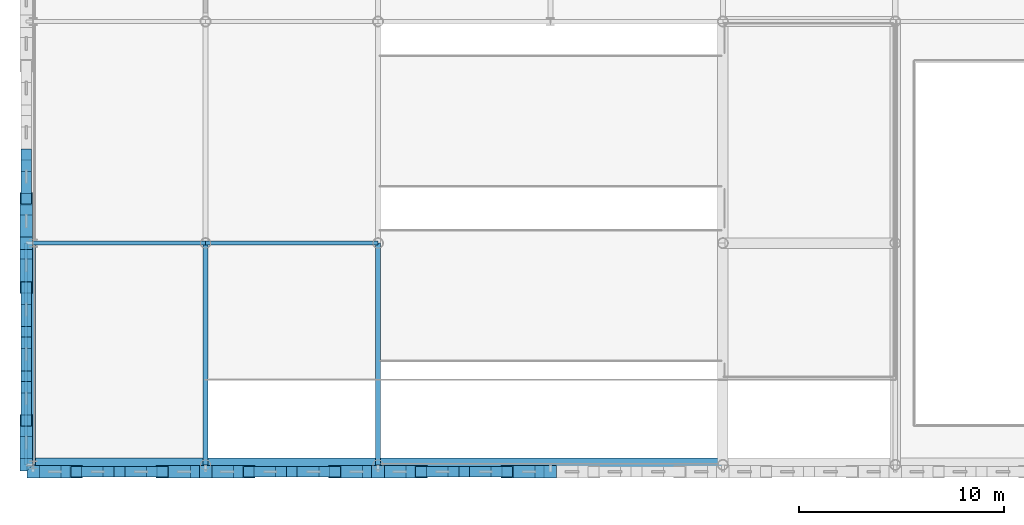
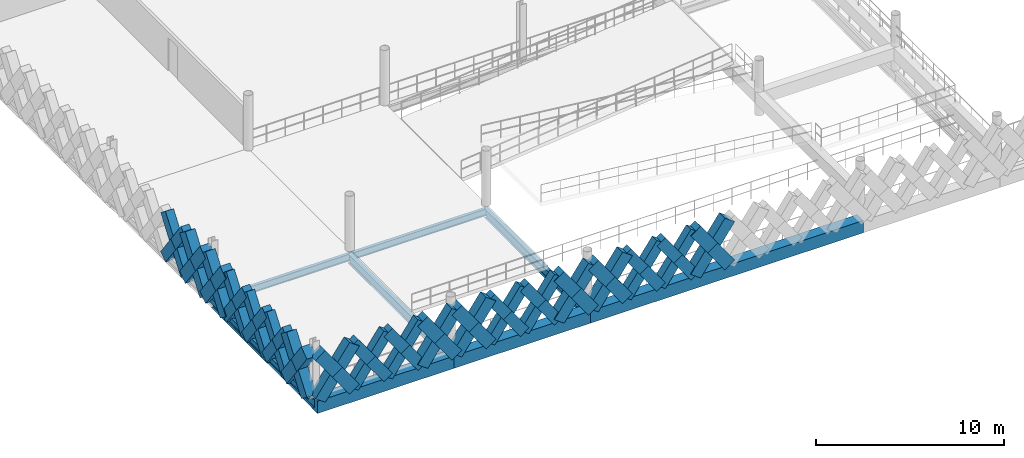
# One storey, part 18 of 79: 58 members, 8 beams.
"""IFC4 building model written with IfcOpenShell, lengths in metres."""

from ifc_helpers import new_model, si_unit, direction, frame, origin, origin_2d, place, context, subcontext, project, spatial, rectangle, hollow_rectangle, i_section, extrude, material, material_profile, profile_set, type_object, element, save


model = new_model("IFC4")

# Units and contexts
model_context = context("Model", 3, precision=1e-05, world=origin(), true_north=direction((0.0, 1.0)))
body_context = subcontext(model_context, "Body", "Model", "MODEL_VIEW")
ifc_project = project(units=[si_unit("LENGTHUNIT", "METRE"), si_unit("AREAUNIT", "SQUARE_METRE"), si_unit("VOLUMEUNIT", "CUBIC_METRE"), si_unit("PLANEANGLEUNIT", "RADIAN"), si_unit("MASSUNIT", "GRAM", prefix="KILO"), si_unit("THERMODYNAMICTEMPERATUREUNIT", "KELVIN"), si_unit("POWERUNIT", "WATT")], contexts=[model_context])

# Site, building, storey
site_placement = place(None, origin())
site = spatial("IfcSite", under=ifc_project, at=site_placement, CompositionType="ELEMENT")
building_placement = place(site_placement, origin())
building = spatial("IfcBuilding", under=site, at=building_placement, Name="Tembeka Court Mobility Hub", CompositionType="ELEMENT")
storey_placement = place(building_placement, frame((0.0, 0.0, 9.0)))
storey = spatial("IfcBuildingStorey", under=building, at=storey_placement, Name="L02", CompositionType="ELEMENT", Elevation=9.0)

# Beams
ifc_material_1 = material(Name="Steel S355", Category="steel")
ifc_material_profile_1 = material_profile(ifc_material_1, i_section(OverallWidth=0.18994140625, OverallDepth=0.45703125, WebThickness=0.009033203125, FlangeThickness=0.014404296875, FilletRadius=0.01025390625, at=origin_2d()), Name="UKB 457x191x74")
ifc_profile_set_1 = profile_set([ifc_material_profile_1], Name="Steel S355")
beam_type_1 = type_object("IfcBeamType", Name="BM-B01", PredefinedType="BEAM", material=ifc_profile_set_1)
beam_1_placement = place(storey_placement, frame((0.0, 10.800048828125, -0.478515625), z_axis=(1.0, 0.0, 0.0), x_axis=(0.0, 1.0, 0.0)))
element("IfcBeam", 1, at=beam_1_placement, inside=storey, type_object=beam_type_1, Name="Beam B01 (BM-L02-X1185)", PredefinedType="BEAM", context=body_context, shape_type="SweptSolid", body=[
    extrude(i_section(OverallWidth=0.18994140625, OverallDepth=0.45703125, WebThickness=0.009033203125, FlangeThickness=0.014404296875, FilletRadius=0.01025390625, at=origin_2d()), origin(), (0.0, 0.0, 1.0), 8.39990234375),
])
beam_2_placement = place(storey_placement, frame((8.39990234375, 10.800048828125, -0.478515625), z_axis=(1.0, 0.0, 0.0), x_axis=(0.0, 1.0, 0.0)))
element("IfcBeam", 2, at=beam_2_placement, inside=storey, type_object=beam_type_1, Name="Beam B01 (BM-L02-X1186)", PredefinedType="BEAM", context=body_context, shape_type="SweptSolid", body=[
    extrude(i_section(OverallWidth=0.18994140625, OverallDepth=0.45703125, WebThickness=0.009033203125, FlangeThickness=0.014404296875, FilletRadius=0.01025390625, at=origin_2d()), origin(), (0.0, 0.0, 1.0), 8.400146484375),
])
ifc_material_profile_2 = material_profile(ifc_material_1, i_section(OverallWidth=0.22900390625, OverallDepth=0.612060546875, WebThickness=0.011962890625, FlangeThickness=0.01953125, FilletRadius=0.0126953125, at=origin_2d()), Name="UKB 610x229x125")
ifc_profile_set_2 = profile_set([ifc_material_profile_2], Name="Steel S355")
beam_type_2 = type_object("IfcBeamType", Name="BM-G02", PredefinedType="USERDEFINED", material=ifc_profile_set_2)
for number, where, z_axis, x_axis, name in (
    (3, (0.0, 0.0, -0.52587890625), (0.0, 1.0, 0.0), (-1.0, 0.0, 0.0), "Beam G02 (BM-L02-Y1307)"),
    (4, (8.39990234375, 0.0, -0.555908203125), (0.0, 1.0, 0.0), (-1.0, 0.0, 0.0), "Beam G02 (BM-L02-Y1318)"),
    (5, (16.800048828125, 0.0, -0.555908203125), (0.0, 1.0, 0.0), (-1.0, 0.0, 0.0), "Beam G02 (BM-L02-Y1329)"),
):
    element("IfcBeam", number, at=place(storey_placement, frame(where, z_axis=z_axis, x_axis=x_axis)), inside=storey, type_object=beam_type_2, Name=name, ObjectType="GIRDER", PredefinedType="USERDEFINED", context=body_context, shape_type="SweptSolid", body=[
        extrude(i_section(OverallWidth=0.22900390625, OverallDepth=0.612060546875, WebThickness=0.011962890625, FlangeThickness=0.01953125, FilletRadius=0.0126953125, at=origin_2d()), origin(), (0.0, 0.0, 1.0), 10.800048828125),
    ])
ifc_material_2 = material(Name="Precast concrete C45/55", Category="concrete")
ifc_material_profile_3 = material_profile(ifc_material_2, rectangle(XDim=0.64990234375, YDim=0.800048828125, at=origin_2d()), Name="PC-SP 650x800")
ifc_profile_set_3 = profile_set([ifc_material_profile_3], Name="Precast concrete C45/55")
beam_type_3 = type_object("IfcBeamType", Name="BM-SP01", PredefinedType="SPANDREL", material=ifc_profile_set_3)
beam_3_placement = place(storey_placement, frame((0.0, 0.0, -0.6201171875), z_axis=(1.0, 0.0, 0.0), x_axis=(0.0, 1.0, 0.0)))
element("IfcBeam", 6, at=beam_3_placement, inside=storey, type_object=beam_type_3, Name="Beam SP01 (BM-L02-X1170)", PredefinedType="SPANDREL", context=body_context, shape_type="SweptSolid", body=[
    extrude(rectangle(XDim=0.64990234375, YDim=0.800048828125, at=origin_2d()), origin(), (0.0, 0.0, 1.0), 8.39990234375),
])
beam_4_placement = place(storey_placement, frame((8.39990234375, 0.0, -0.6201171875), z_axis=(1.0, 0.0, 0.0), x_axis=(0.0, 1.0, 0.0)))
element("IfcBeam", 7, at=beam_4_placement, inside=storey, type_object=beam_type_3, Name="Beam SP01 (BM-L02-X1171)", PredefinedType="SPANDREL", context=body_context, shape_type="SweptSolid", body=[
    extrude(rectangle(XDim=0.64990234375, YDim=0.800048828125, at=origin_2d()), origin(), (0.0, 0.0, 1.0), 8.400146484375),
])
beam_5_placement = place(storey_placement, frame((16.800048828125, 0.0, -0.6201171875), z_axis=(1.0, 0.0, 0.0), x_axis=(0.0, 1.0, 0.0)))
element("IfcBeam", 8, at=beam_5_placement, inside=storey, type_object=beam_type_3, Name="Beam SP01 (BM-L02-X1172)", PredefinedType="SPANDREL", context=body_context, shape_type="SweptSolid", body=[
    extrude(rectangle(XDim=0.64990234375, YDim=0.800048828125, at=origin_2d()), origin(), (0.0, 0.0, 1.0), 16.800048828125),
])

# Members
ifc_material_profile_4 = material_profile(ifc_material_2, rectangle(XDim=0.5, YDim=0.64990234375, at=origin_2d()), Name="PC-DIAG 500x650")
ifc_profile_set_4 = profile_set([ifc_material_profile_4], Name="Precast concrete C45/55")
member_type_1 = type_object("IfcMemberType", Name="MEM-DL01", PredefinedType="BRACE", material=ifc_profile_set_4)
member_1_placement = place(storey_placement, frame((2.10009765625, -0.340087890625, 0.02001953125), z_axis=(0.58253161945, 0.0, 0.812808041509), x_axis=(0.0, 1.0, 0.0)))
element("IfcMember", 9, at=member_1_placement, inside=storey, type_object=member_type_1, Name="Precast diamond lattice continuous strand DL01 (L02-190A)", PredefinedType="BRACE", context=body_context, shape_type="SweptSolid", body=[
    extrude(rectangle(XDim=0.5, YDim=0.64990234375, at=origin_2d()), origin(), (0.0, 0.0, 1.0), 3.604736328125),
])
member_2_placement = place(storey_placement, frame((4.199951171875, -0.340087890625, 0.02001953125), z_axis=(-0.582544294934, 0.0, 0.812798956963), x_axis=(0.0, -1.0, 0.0)))
element("IfcMember", 10, at=member_2_placement, inside=storey, type_object=member_type_1, Name="Precast diamond lattice split lower strand DL01 (L02-190B1)", PredefinedType="BRACE", context=body_context, shape_type="SweptSolid", body=[
    extrude(rectangle(XDim=0.5, YDim=0.64990234375, at=origin_2d()), origin(), (0.0, 0.0, 1.0), 1.802490234375),
])
member_3_placement = place(storey_placement, frame((3.14990234375, -0.340087890625, 1.485107421875), z_axis=(-0.582518941428, 0.0, 0.812817127574), x_axis=(0.0, -1.0, 0.0)))
element("IfcMember", 11, at=member_3_placement, inside=storey, type_object=member_type_1, Name="Precast diamond lattice split upper strand DL01 (L02-190B2)", PredefinedType="BRACE", context=body_context, shape_type="SweptSolid", body=[
    extrude(rectangle(XDim=0.5, YDim=0.64990234375, at=origin_2d()), origin(), (0.0, 0.0, 1.0), 1.80224609375),
])
member_4_placement = place(storey_placement, frame((4.199951171875, -0.340087890625, 0.02001953125), z_axis=(0.582576362011, 0.0, 0.812775973086), x_axis=(0.0, 1.0, 0.0)))
element("IfcMember", 12, at=member_4_placement, inside=storey, type_object=member_type_1, Name="Precast diamond lattice continuous strand DL01 (L02-191A)", PredefinedType="BRACE", context=body_context, shape_type="SweptSolid", body=[
    extrude(rectangle(XDim=0.5, YDim=0.64990234375, at=origin_2d()), origin(), (0.0, 0.0, 1.0), 3.604736328125),
])
member_5_placement = place(storey_placement, frame((6.300048828125, -0.340087890625, 0.02001953125), z_axis=(-0.582544294934, 0.0, 0.812798956963), x_axis=(0.0, -1.0, 0.0)))
element("IfcMember", 13, at=member_5_placement, inside=storey, type_object=member_type_1, Name="Precast diamond lattice split lower strand DL01 (L02-191B1)", PredefinedType="BRACE", context=body_context, shape_type="SweptSolid", body=[
    extrude(rectangle(XDim=0.5, YDim=0.64990234375, at=origin_2d()), origin(), (0.0, 0.0, 1.0), 1.802490234375),
])
member_6_placement = place(storey_placement, frame((5.25, -0.340087890625, 1.485107421875), z_axis=(-0.582608431711, 0.0, 0.812752985414), x_axis=(0.0, -1.0, 0.0)))
element("IfcMember", 14, at=member_6_placement, inside=storey, type_object=member_type_1, Name="Precast diamond lattice split upper strand DL01 (L02-191B2)", PredefinedType="BRACE", context=body_context, shape_type="SweptSolid", body=[
    extrude(rectangle(XDim=0.5, YDim=0.64990234375, at=origin_2d()), origin(), (0.0, 0.0, 1.0), 1.80224609375),
])
member_7_placement = place(storey_placement, frame((10.5, -0.340087890625, 0.02001953125), z_axis=(0.582576362011, 0.0, 0.812775973086), x_axis=(0.0, 1.0, 0.0)))
element("IfcMember", 15, at=member_7_placement, inside=storey, type_object=member_type_1, Name="Precast diamond lattice continuous strand DL01 (L02-194A)", PredefinedType="BRACE", context=body_context, shape_type="SweptSolid", body=[
    extrude(rectangle(XDim=0.5, YDim=0.64990234375, at=origin_2d()), origin(), (0.0, 0.0, 1.0), 3.604736328125),
])
member_8_placement = place(storey_placement, frame((12.60009765625, -0.340087890625, 0.02001953125), z_axis=(-0.582544294934, 0.0, 0.812798956963), x_axis=(0.0, -1.0, 0.0)))
element("IfcMember", 16, at=member_8_placement, inside=storey, type_object=member_type_1, Name="Precast diamond lattice split lower strand DL01 (L02-194B1)", PredefinedType="BRACE", context=body_context, shape_type="SweptSolid", body=[
    extrude(rectangle(XDim=0.5, YDim=0.64990234375, at=origin_2d()), origin(), (0.0, 0.0, 1.0), 1.802490234375),
])
member_9_placement = place(storey_placement, frame((11.550048828125, -0.340087890625, 1.485107421875), z_axis=(-0.582608431711, 0.0, 0.812752985414), x_axis=(0.0, -1.0, 0.0)))
element("IfcMember", 17, at=member_9_placement, inside=storey, type_object=member_type_1, Name="Precast diamond lattice split upper strand DL01 (L02-194B2)", PredefinedType="BRACE", context=body_context, shape_type="SweptSolid", body=[
    extrude(rectangle(XDim=0.5, YDim=0.64990234375, at=origin_2d()), origin(), (0.0, 0.0, 1.0), 1.80224609375),
])
member_10_placement = place(storey_placement, frame((12.60009765625, -0.340087890625, 0.02001953125), z_axis=(0.58253161945, 0.0, 0.812808041509), x_axis=(0.0, 1.0, 0.0)))
element("IfcMember", 18, at=member_10_placement, inside=storey, type_object=member_type_1, Name="Precast diamond lattice continuous strand DL01 (L02-195A)", PredefinedType="BRACE", context=body_context, shape_type="SweptSolid", body=[
    extrude(rectangle(XDim=0.5, YDim=0.64990234375, at=origin_2d()), origin(), (0.0, 0.0, 1.0), 3.604736328125),
])
member_11_placement = place(storey_placement, frame((14.699951171875, -0.340087890625, 0.02001953125), z_axis=(-0.582544294934, 0.0, 0.812798956963), x_axis=(0.0, -1.0, 0.0)))
element("IfcMember", 19, at=member_11_placement, inside=storey, type_object=member_type_1, Name="Precast diamond lattice split lower strand DL01 (L02-195B1)", PredefinedType="BRACE", context=body_context, shape_type="SweptSolid", body=[
    extrude(rectangle(XDim=0.5, YDim=0.64990234375, at=origin_2d()), origin(), (0.0, 0.0, 1.0), 1.802490234375),
])
member_12_placement = place(storey_placement, frame((13.64990234375, -0.340087890625, 1.485107421875), z_axis=(-0.582518941428, 0.0, 0.812817127574), x_axis=(0.0, -1.0, 0.0)))
element("IfcMember", 20, at=member_12_placement, inside=storey, type_object=member_type_1, Name="Precast diamond lattice split upper strand DL01 (L02-195B2)", PredefinedType="BRACE", context=body_context, shape_type="SweptSolid", body=[
    extrude(rectangle(XDim=0.5, YDim=0.64990234375, at=origin_2d()), origin(), (0.0, 0.0, 1.0), 1.80224609375),
])
member_13_placement = place(storey_placement, frame((18.89990234375, -0.340087890625, 0.02001953125), z_axis=(0.582576362011, 0.0, 0.812775973086), x_axis=(0.0, 1.0, 0.0)))
element("IfcMember", 21, at=member_13_placement, inside=storey, type_object=member_type_1, Name="Precast diamond lattice continuous strand DL01 (L02-198A)", PredefinedType="BRACE", context=body_context, shape_type="SweptSolid", body=[
    extrude(rectangle(XDim=0.5, YDim=0.64990234375, at=origin_2d()), origin(), (0.0, 0.0, 1.0), 3.604736328125),
])
member_14_placement = place(storey_placement, frame((21.0, -0.340087890625, 0.02001953125), z_axis=(-0.582544294934, 0.0, 0.812798956963), x_axis=(0.0, -1.0, 0.0)))
element("IfcMember", 22, at=member_14_placement, inside=storey, type_object=member_type_1, Name="Precast diamond lattice split lower strand DL01 (L02-198B1)", PredefinedType="BRACE", context=body_context, shape_type="SweptSolid", body=[
    extrude(rectangle(XDim=0.5, YDim=0.64990234375, at=origin_2d()), origin(), (0.0, 0.0, 1.0), 1.802490234375),
])
member_15_placement = place(storey_placement, frame((19.949951171875, -0.340087890625, 1.485107421875), z_axis=(-0.582608431711, 0.0, 0.812752985414), x_axis=(0.0, -1.0, 0.0)))
element("IfcMember", 23, at=member_15_placement, inside=storey, type_object=member_type_1, Name="Precast diamond lattice split upper strand DL01 (L02-198B2)", PredefinedType="BRACE", context=body_context, shape_type="SweptSolid", body=[
    extrude(rectangle(XDim=0.5, YDim=0.64990234375, at=origin_2d()), origin(), (0.0, 0.0, 1.0), 1.80224609375),
])
member_16_placement = place(storey_placement, frame((21.0, -0.340087890625, 0.02001953125), z_axis=(0.582576362011, 0.0, 0.812775973086), x_axis=(0.0, 1.0, 0.0)))
element("IfcMember", 24, at=member_16_placement, inside=storey, type_object=member_type_1, Name="Precast diamond lattice continuous strand DL01 (L02-199A)", PredefinedType="BRACE", context=body_context, shape_type="SweptSolid", body=[
    extrude(rectangle(XDim=0.5, YDim=0.64990234375, at=origin_2d()), origin(), (0.0, 0.0, 1.0), 3.604736328125),
])
member_17_placement = place(storey_placement, frame((23.10009765625, -0.340087890625, 0.02001953125), z_axis=(-0.582544294934, 0.0, 0.812798956963), x_axis=(0.0, -1.0, 0.0)))
element("IfcMember", 25, at=member_17_placement, inside=storey, type_object=member_type_1, Name="Precast diamond lattice split lower strand DL01 (L02-199B1)", PredefinedType="BRACE", context=body_context, shape_type="SweptSolid", body=[
    extrude(rectangle(XDim=0.5, YDim=0.64990234375, at=origin_2d()), origin(), (0.0, 0.0, 1.0), 1.802490234375),
])
member_18_placement = place(storey_placement, frame((22.050048828125, -0.340087890625, 1.485107421875), z_axis=(-0.582608431711, 0.0, 0.812752985414), x_axis=(0.0, -1.0, 0.0)))
element("IfcMember", 26, at=member_18_placement, inside=storey, type_object=member_type_1, Name="Precast diamond lattice split upper strand DL01 (L02-199B2)", PredefinedType="BRACE", context=body_context, shape_type="SweptSolid", body=[
    extrude(rectangle(XDim=0.5, YDim=0.64990234375, at=origin_2d()), origin(), (0.0, 0.0, 1.0), 1.80224609375),
])
member_19_placement = place(storey_placement, frame((-0.340087890625, 2.159912109375, 0.02001953125), z_axis=(0.0, 0.593423219328, 0.804890602978), x_axis=(-1.0, 0.0, 0.0)))
element("IfcMember", 27, at=member_19_placement, inside=storey, type_object=member_type_1, Name="Precast diamond lattice continuous strand DL01 (L02-278C)", PredefinedType="BRACE", context=body_context, shape_type="SweptSolid", body=[
    extrude(rectangle(XDim=0.5, YDim=0.64990234375, at=origin_2d()), origin(), (0.0, 0.0, 1.0), 3.64013671875),
])
for number, where, z_axis, x_axis, name in (
    (28, (-0.340087890625, 4.320068359375, 0.02001953125), (0.0, -0.593391185876, 0.804914219358), (1.0, 0.0, 0.0), "Precast diamond lattice split lower strand DL01 (L02-278D1)"),
    (29, (-0.340087890625, 3.239990234375, 1.485107421875), (0.0, -0.593455255298, 0.804866982773), (1.0, 0.0, 0.0), "Precast diamond lattice split upper strand DL01 (L02-278D2)"),
):
    element("IfcMember", number, at=place(storey_placement, frame(where, z_axis=z_axis, x_axis=x_axis)), inside=storey, type_object=member_type_1, Name=name, PredefinedType="BRACE", context=body_context, shape_type="SweptSolid", body=[
        extrude(rectangle(XDim=0.5, YDim=0.64990234375, at=origin_2d()), origin(), (0.0, 0.0, 1.0), 1.820068359375),
    ])
member_20_placement = place(storey_placement, frame((-0.340087890625, 4.320068359375, 0.02001953125), z_axis=(0.0, 0.593379766398, 0.804922637792), x_axis=(-1.0, 0.0, 0.0)))
element("IfcMember", 30, at=member_20_placement, inside=storey, type_object=member_type_1, Name="Precast diamond lattice continuous strand DL01 (L02-279C)", PredefinedType="BRACE", context=body_context, shape_type="SweptSolid", body=[
    extrude(rectangle(XDim=0.5, YDim=0.64990234375, at=origin_2d()), origin(), (0.0, 0.0, 1.0), 3.64013671875),
])
member_21_placement = place(storey_placement, frame((-0.340087890625, 6.47998046875, 0.02001953125), z_axis=(0.0, -0.593391185876, 0.804914219358), x_axis=(1.0, 0.0, 0.0)))
element("IfcMember", 31, at=member_21_placement, inside=storey, type_object=member_type_1, Name="Precast diamond lattice split lower strand DL01 (L02-279D1)", PredefinedType="BRACE", context=body_context, shape_type="SweptSolid", body=[
    extrude(rectangle(XDim=0.5, YDim=0.64990234375, at=origin_2d()), origin(), (0.0, 0.0, 1.0), 1.820068359375),
])
member_22_placement = place(storey_placement, frame((-0.340087890625, 5.39990234375, 1.485107421875), z_axis=(0.0, -0.593368344659, 0.804931057642), x_axis=(1.0, 0.0, 0.0)))
element("IfcMember", 32, at=member_22_placement, inside=storey, type_object=member_type_1, Name="Precast diamond lattice split upper strand DL01 (L02-279D2)", PredefinedType="BRACE", context=body_context, shape_type="SweptSolid", body=[
    extrude(rectangle(XDim=0.5, YDim=0.64990234375, at=origin_2d()), origin(), (0.0, 0.0, 1.0), 1.81982421875),
])
member_23_placement = place(storey_placement, frame((-0.340087890625, 6.47998046875, 0.02001953125), z_axis=(0.0, 0.593379766398, 0.804922637792), x_axis=(-1.0, 0.0, 0.0)))
element("IfcMember", 33, at=member_23_placement, inside=storey, type_object=member_type_1, Name="Precast diamond lattice continuous strand DL01 (L02-280C)", PredefinedType="BRACE", context=body_context, shape_type="SweptSolid", body=[
    extrude(rectangle(XDim=0.5, YDim=0.64990234375, at=origin_2d()), origin(), (0.0, 0.0, 1.0), 3.64013671875),
])
for number, where, z_axis, x_axis, name in (
    (34, (-0.340087890625, 8.639892578125, 0.02001953125), (0.0, -0.593304274421, 0.804978284151), (1.0, 0.0, 0.0), "Precast diamond lattice split lower strand DL01 (L02-280D1)"),
    (35, (-0.340087890625, 7.56005859375, 1.485107421875), (0.0, -0.593455255298, 0.804866982773), (1.0, 0.0, 0.0), "Precast diamond lattice split upper strand DL01 (L02-280D2)"),
):
    element("IfcMember", number, at=place(storey_placement, frame(where, z_axis=z_axis, x_axis=x_axis)), inside=storey, type_object=member_type_1, Name=name, PredefinedType="BRACE", context=body_context, shape_type="SweptSolid", body=[
        extrude(rectangle(XDim=0.5, YDim=0.64990234375, at=origin_2d()), origin(), (0.0, 0.0, 1.0), 1.820068359375),
    ])
member_24_placement = place(storey_placement, frame((-0.340087890625, 12.9599609375, 0.02001953125), z_axis=(0.0, 0.593423219328, 0.804890602978), x_axis=(-1.0, 0.0, 0.0)))
element("IfcMember", 36, at=member_24_placement, inside=storey, type_object=member_type_1, Name="Precast diamond lattice continuous strand DL01 (L02-283C)", PredefinedType="BRACE", context=body_context, shape_type="SweptSolid", body=[
    extrude(rectangle(XDim=0.5, YDim=0.64990234375, at=origin_2d()), origin(), (0.0, 0.0, 1.0), 3.64013671875),
])
for number, where, z_axis, x_axis, name in (
    (37, (-0.340087890625, 15.1201171875, 0.02001953125), (0.0, -0.593391185876, 0.804914219358), (1.0, 0.0, 0.0), "Precast diamond lattice split lower strand DL01 (L02-283D1)"),
    (38, (-0.340087890625, 14.0400390625, 1.485107421875), (0.0, -0.593455255298, 0.804866982773), (1.0, 0.0, 0.0), "Precast diamond lattice split upper strand DL01 (L02-283D2)"),
):
    element("IfcMember", number, at=place(storey_placement, frame(where, z_axis=z_axis, x_axis=x_axis)), inside=storey, type_object=member_type_1, Name=name, PredefinedType="BRACE", context=body_context, shape_type="SweptSolid", body=[
        extrude(rectangle(XDim=0.5, YDim=0.64990234375, at=origin_2d()), origin(), (0.0, 0.0, 1.0), 1.820068359375),
    ])
ifc_material_profile_5 = material_profile(ifc_material_2, rectangle(XDim=0.60009765625, YDim=0.75, at=origin_2d()), Name="PC-DIAG 600x750")
ifc_profile_set_5 = profile_set([ifc_material_profile_5], Name="Precast concrete C45/55")
member_type_2 = type_object("IfcMemberType", Name="MEM-DL02", PredefinedType="BRACE", material=ifc_profile_set_5)
member_25_placement = place(storey_placement, frame((0.0, -0.340087890625, 0.02001953125), z_axis=(0.582576362011, 0.0, 0.812775973086), x_axis=(0.0, 1.0, 0.0)))
element("IfcMember", 39, at=member_25_placement, inside=storey, type_object=member_type_2, Name="Precast diamond lattice continuous strand DL02 (L02-189A)", PredefinedType="BRACE", context=body_context, shape_type="SweptSolid", body=[
    extrude(rectangle(XDim=0.60009765625, YDim=0.75, at=origin_2d()), origin(), (0.0, 0.0, 1.0), 3.604736328125),
])
member_26_placement = place(storey_placement, frame((2.10009765625, -0.340087890625, 0.02001953125), z_axis=(-0.582544294934, 0.0, 0.812798956963), x_axis=(0.0, -1.0, 0.0)))
element("IfcMember", 40, at=member_26_placement, inside=storey, type_object=member_type_2, Name="Precast diamond lattice split lower strand DL02 (L02-189B1)", PredefinedType="BRACE", context=body_context, shape_type="SweptSolid", body=[
    extrude(rectangle(XDim=0.60009765625, YDim=0.75, at=origin_2d()), origin(), (0.0, 0.0, 1.0), 1.802490234375),
])
member_27_placement = place(storey_placement, frame((1.050048828125, -0.340087890625, 1.485107421875), z_axis=(-0.582608431711, 0.0, 0.812752985414), x_axis=(0.0, -1.0, 0.0)))
element("IfcMember", 41, at=member_27_placement, inside=storey, type_object=member_type_2, Name="Precast diamond lattice split upper strand DL02 (L02-189B2)", PredefinedType="BRACE", context=body_context, shape_type="SweptSolid", body=[
    extrude(rectangle(XDim=0.60009765625, YDim=0.75, at=origin_2d()), origin(), (0.0, 0.0, 1.0), 1.80224609375),
])
member_28_placement = place(storey_placement, frame((6.300048828125, -0.340087890625, 0.02001953125), z_axis=(0.58253161945, 0.0, 0.812808041509), x_axis=(0.0, 1.0, 0.0)))
element("IfcMember", 42, at=member_28_placement, inside=storey, type_object=member_type_2, Name="Precast diamond lattice continuous strand DL02 (L02-192A)", PredefinedType="BRACE", context=body_context, shape_type="SweptSolid", body=[
    extrude(rectangle(XDim=0.60009765625, YDim=0.75, at=origin_2d()), origin(), (0.0, 0.0, 1.0), 3.604736328125),
])
member_29_placement = place(storey_placement, frame((8.39990234375, -0.340087890625, 0.02001953125), z_axis=(-0.582454804382, 0.0, 0.812863088627), x_axis=(0.0, -1.0, 0.0)))
element("IfcMember", 43, at=member_29_placement, inside=storey, type_object=member_type_2, Name="Precast diamond lattice split lower strand DL02 (L02-192B1)", PredefinedType="BRACE", context=body_context, shape_type="SweptSolid", body=[
    extrude(rectangle(XDim=0.60009765625, YDim=0.75, at=origin_2d()), origin(), (0.0, 0.0, 1.0), 1.802490234375),
])
member_30_placement = place(storey_placement, frame((7.35009765625, -0.340087890625, 1.485107421875), z_axis=(-0.582608431711, 0.0, 0.812752985414), x_axis=(0.0, -1.0, 0.0)))
element("IfcMember", 44, at=member_30_placement, inside=storey, type_object=member_type_2, Name="Precast diamond lattice split upper strand DL02 (L02-192B2)", PredefinedType="BRACE", context=body_context, shape_type="SweptSolid", body=[
    extrude(rectangle(XDim=0.60009765625, YDim=0.75, at=origin_2d()), origin(), (0.0, 0.0, 1.0), 1.80224609375),
])
member_31_placement = place(storey_placement, frame((8.39990234375, -0.340087890625, 0.02001953125), z_axis=(0.582576362011, 0.0, 0.812775973086), x_axis=(0.0, 1.0, 0.0)))
element("IfcMember", 45, at=member_31_placement, inside=storey, type_object=member_type_2, Name="Precast diamond lattice continuous strand DL02 (L02-193A)", PredefinedType="BRACE", context=body_context, shape_type="SweptSolid", body=[
    extrude(rectangle(XDim=0.60009765625, YDim=0.75, at=origin_2d()), origin(), (0.0, 0.0, 1.0), 3.604736328125),
])
member_32_placement = place(storey_placement, frame((10.5, -0.340087890625, 0.02001953125), z_axis=(-0.582544294934, 0.0, 0.812798956963), x_axis=(0.0, -1.0, 0.0)))
element("IfcMember", 46, at=member_32_placement, inside=storey, type_object=member_type_2, Name="Precast diamond lattice split lower strand DL02 (L02-193B1)", PredefinedType="BRACE", context=body_context, shape_type="SweptSolid", body=[
    extrude(rectangle(XDim=0.60009765625, YDim=0.75, at=origin_2d()), origin(), (0.0, 0.0, 1.0), 1.802490234375),
])
member_33_placement = place(storey_placement, frame((9.449951171875, -0.340087890625, 1.485107421875), z_axis=(-0.582608431711, 0.0, 0.812752985414), x_axis=(0.0, -1.0, 0.0)))
element("IfcMember", 47, at=member_33_placement, inside=storey, type_object=member_type_2, Name="Precast diamond lattice split upper strand DL02 (L02-193B2)", PredefinedType="BRACE", context=body_context, shape_type="SweptSolid", body=[
    extrude(rectangle(XDim=0.60009765625, YDim=0.75, at=origin_2d()), origin(), (0.0, 0.0, 1.0), 1.80224609375),
])
member_34_placement = place(storey_placement, frame((14.699951171875, -0.340087890625, 0.02001953125), z_axis=(0.582576362011, 0.0, 0.812775973086), x_axis=(0.0, 1.0, 0.0)))
element("IfcMember", 48, at=member_34_placement, inside=storey, type_object=member_type_2, Name="Precast diamond lattice continuous strand DL02 (L02-196A)", PredefinedType="BRACE", context=body_context, shape_type="SweptSolid", body=[
    extrude(rectangle(XDim=0.60009765625, YDim=0.75, at=origin_2d()), origin(), (0.0, 0.0, 1.0), 3.604736328125),
])
member_35_placement = place(storey_placement, frame((16.800048828125, -0.340087890625, 0.02001953125), z_axis=(-0.582544294934, 0.0, 0.812798956963), x_axis=(0.0, -1.0, 0.0)))
element("IfcMember", 49, at=member_35_placement, inside=storey, type_object=member_type_2, Name="Precast diamond lattice split lower strand DL02 (L02-196B1)", PredefinedType="BRACE", context=body_context, shape_type="SweptSolid", body=[
    extrude(rectangle(XDim=0.60009765625, YDim=0.75, at=origin_2d()), origin(), (0.0, 0.0, 1.0), 1.802490234375),
])
member_36_placement = place(storey_placement, frame((15.75, -0.340087890625, 1.485107421875), z_axis=(-0.582608431711, 0.0, 0.812752985414), x_axis=(0.0, -1.0, 0.0)))
element("IfcMember", 50, at=member_36_placement, inside=storey, type_object=member_type_2, Name="Precast diamond lattice split upper strand DL02 (L02-196B2)", PredefinedType="BRACE", context=body_context, shape_type="SweptSolid", body=[
    extrude(rectangle(XDim=0.60009765625, YDim=0.75, at=origin_2d()), origin(), (0.0, 0.0, 1.0), 1.80224609375),
])
member_37_placement = place(storey_placement, frame((16.800048828125, -0.340087890625, 0.02001953125), z_axis=(0.58253161945, 0.0, 0.812808041509), x_axis=(0.0, 1.0, 0.0)))
element("IfcMember", 51, at=member_37_placement, inside=storey, type_object=member_type_2, Name="Precast diamond lattice continuous strand DL02 (L02-197A)", PredefinedType="BRACE", context=body_context, shape_type="SweptSolid", body=[
    extrude(rectangle(XDim=0.60009765625, YDim=0.75, at=origin_2d()), origin(), (0.0, 0.0, 1.0), 3.604736328125),
])
member_38_placement = place(storey_placement, frame((18.89990234375, -0.340087890625, 0.02001953125), z_axis=(-0.582454804382, 0.0, 0.812863088627), x_axis=(0.0, -1.0, 0.0)))
element("IfcMember", 52, at=member_38_placement, inside=storey, type_object=member_type_2, Name="Precast diamond lattice split lower strand DL02 (L02-197B1)", PredefinedType="BRACE", context=body_context, shape_type="SweptSolid", body=[
    extrude(rectangle(XDim=0.60009765625, YDim=0.75, at=origin_2d()), origin(), (0.0, 0.0, 1.0), 1.802490234375),
])
member_39_placement = place(storey_placement, frame((17.85009765625, -0.340087890625, 1.485107421875), z_axis=(-0.582608431711, 0.0, 0.812752985414), x_axis=(0.0, -1.0, 0.0)))
element("IfcMember", 53, at=member_39_placement, inside=storey, type_object=member_type_2, Name="Precast diamond lattice split upper strand DL02 (L02-197B2)", PredefinedType="BRACE", context=body_context, shape_type="SweptSolid", body=[
    extrude(rectangle(XDim=0.60009765625, YDim=0.75, at=origin_2d()), origin(), (0.0, 0.0, 1.0), 1.80224609375),
])
member_40_placement = place(storey_placement, frame((23.10009765625, -0.340087890625, 0.02001953125), z_axis=(0.58253161945, 0.0, 0.812808041509), x_axis=(0.0, 1.0, 0.0)))
element("IfcMember", 54, at=member_40_placement, inside=storey, type_object=member_type_2, Name="Precast diamond lattice continuous strand DL02 (L02-200A)", PredefinedType="BRACE", context=body_context, shape_type="SweptSolid", body=[
    extrude(rectangle(XDim=0.60009765625, YDim=0.75, at=origin_2d()), origin(), (0.0, 0.0, 1.0), 3.604736328125),
])
member_41_placement = place(storey_placement, frame((25.199951171875, -0.340087890625, 0.02001953125), z_axis=(-0.582544294934, 0.0, 0.812798956963), x_axis=(0.0, -1.0, 0.0)))
element("IfcMember", 55, at=member_41_placement, inside=storey, type_object=member_type_2, Name="Precast diamond lattice split lower strand DL02 (L02-200B1)", PredefinedType="BRACE", context=body_context, shape_type="SweptSolid", body=[
    extrude(rectangle(XDim=0.60009765625, YDim=0.75, at=origin_2d()), origin(), (0.0, 0.0, 1.0), 1.802490234375),
])
member_42_placement = place(storey_placement, frame((24.14990234375, -0.340087890625, 1.485107421875), z_axis=(-0.582518941428, 0.0, 0.812817127574), x_axis=(0.0, -1.0, 0.0)))
element("IfcMember", 56, at=member_42_placement, inside=storey, type_object=member_type_2, Name="Precast diamond lattice split upper strand DL02 (L02-200B2)", PredefinedType="BRACE", context=body_context, shape_type="SweptSolid", body=[
    extrude(rectangle(XDim=0.60009765625, YDim=0.75, at=origin_2d()), origin(), (0.0, 0.0, 1.0), 1.80224609375),
])
member_43_placement = place(storey_placement, frame((-0.340087890625, 0.0, 0.02001953125), z_axis=(0.0, 0.593379766398, 0.804922637792), x_axis=(-1.0, 0.0, 0.0)))
element("IfcMember", 57, at=member_43_placement, inside=storey, type_object=member_type_2, Name="Precast diamond lattice continuous strand DL02 (L02-277C)", PredefinedType="BRACE", context=body_context, shape_type="SweptSolid", body=[
    extrude(rectangle(XDim=0.60009765625, YDim=0.75, at=origin_2d()), origin(), (0.0, 0.0, 1.0), 3.64013671875),
])
for number, where, z_axis, x_axis, name in (
    (58, (-0.340087890625, 2.159912109375, 0.02001953125), (0.0, -0.593304274421, 0.804978284151), (1.0, 0.0, 0.0), "Precast diamond lattice split lower strand DL02 (L02-277D1)"),
    (59, (-0.340087890625, 1.080078125, 1.485107421875), (0.0, -0.593455255298, 0.804866982773), (1.0, 0.0, 0.0), "Precast diamond lattice split upper strand DL02 (L02-277D2)"),
):
    element("IfcMember", number, at=place(storey_placement, frame(where, z_axis=z_axis, x_axis=x_axis)), inside=storey, type_object=member_type_2, Name=name, PredefinedType="BRACE", context=body_context, shape_type="SweptSolid", body=[
        extrude(rectangle(XDim=0.60009765625, YDim=0.75, at=origin_2d()), origin(), (0.0, 0.0, 1.0), 1.820068359375),
    ])
member_44_placement = place(storey_placement, frame((-0.340087890625, 8.639892578125, 0.02001953125), z_axis=(0.0, 0.593423219328, 0.804890602978), x_axis=(-1.0, 0.0, 0.0)))
element("IfcMember", 60, at=member_44_placement, inside=storey, type_object=member_type_2, Name="Precast diamond lattice continuous strand DL02 (L02-281C)", PredefinedType="BRACE", context=body_context, shape_type="SweptSolid", body=[
    extrude(rectangle(XDim=0.60009765625, YDim=0.75, at=origin_2d()), origin(), (0.0, 0.0, 1.0), 3.64013671875),
])
for number, where, z_axis, x_axis, name in (
    (61, (-0.340087890625, 10.800048828125, 0.02001953125), (0.0, -0.593391185876, 0.804914219358), (1.0, 0.0, 0.0), "Precast diamond lattice split lower strand DL02 (L02-281D1)"),
    (62, (-0.340087890625, 9.719970703125, 1.485107421875), (0.0, -0.593455255298, 0.804866982773), (1.0, 0.0, 0.0), "Precast diamond lattice split upper strand DL02 (L02-281D2)"),
):
    element("IfcMember", number, at=place(storey_placement, frame(where, z_axis=z_axis, x_axis=x_axis)), inside=storey, type_object=member_type_2, Name=name, PredefinedType="BRACE", context=body_context, shape_type="SweptSolid", body=[
        extrude(rectangle(XDim=0.60009765625, YDim=0.75, at=origin_2d()), origin(), (0.0, 0.0, 1.0), 1.820068359375),
    ])
member_45_placement = place(storey_placement, frame((-0.340087890625, 10.800048828125, 0.02001953125), z_axis=(0.0, 0.593379766398, 0.804922637792), x_axis=(-1.0, 0.0, 0.0)))
element("IfcMember", 63, at=member_45_placement, inside=storey, type_object=member_type_2, Name="Precast diamond lattice continuous strand DL02 (L02-282C)", PredefinedType="BRACE", context=body_context, shape_type="SweptSolid", body=[
    extrude(rectangle(XDim=0.60009765625, YDim=0.75, at=origin_2d()), origin(), (0.0, 0.0, 1.0), 3.64013671875),
])
member_46_placement = place(storey_placement, frame((-0.340087890625, 12.9599609375, 0.02001953125), z_axis=(0.0, -0.593391185876, 0.804914219358), x_axis=(1.0, 0.0, 0.0)))
element("IfcMember", 64, at=member_46_placement, inside=storey, type_object=member_type_2, Name="Precast diamond lattice split lower strand DL02 (L02-282D1)", PredefinedType="BRACE", context=body_context, shape_type="SweptSolid", body=[
    extrude(rectangle(XDim=0.60009765625, YDim=0.75, at=origin_2d()), origin(), (0.0, 0.0, 1.0), 1.820068359375),
])
member_47_placement = place(storey_placement, frame((-0.340087890625, 11.8798828125, 1.485107421875), z_axis=(0.0, -0.593368344659, 0.804931057642), x_axis=(1.0, 0.0, 0.0)))
element("IfcMember", 65, at=member_47_placement, inside=storey, type_object=member_type_2, Name="Precast diamond lattice split upper strand DL02 (L02-282D2)", PredefinedType="BRACE", context=body_context, shape_type="SweptSolid", body=[
    extrude(rectangle(XDim=0.60009765625, YDim=0.75, at=origin_2d()), origin(), (0.0, 0.0, 1.0), 1.81982421875),
])
ifc_material_profile_6 = material_profile(ifc_material_1, hollow_rectangle(XDim=0.14990234375, YDim=0.300048828125, WallThickness=0.010009765625, at=origin_2d()), Name="RHS 300x150x10")
ifc_profile_set_6 = profile_set([ifc_material_profile_6], Name="Steel S355")
member_type_3 = type_object("IfcMemberType", Name="MEM-ST03", PredefinedType="STRUT", material=ifc_profile_set_6)
member_48_placement = place(storey_placement, frame((-0.340087890625, 0.0, 0.02001953125), z_axis=(0.0, 1.0, 0.0), x_axis=(-1.0, 0.0, 0.0)))
element("IfcMember", 66, at=member_48_placement, inside=storey, type_object=member_type_3, Name="Proud lattice sill tie chord SR03 (L02-W-0)", PredefinedType="STRUT", context=body_context, shape_type="SweptSolid", body=[
    extrude(hollow_rectangle(XDim=0.14990234375, YDim=0.300048828125, WallThickness=0.010009765625, at=origin_2d()), origin(), (0.0, 0.0, 1.0), 10.800048828125),
])

save(model, "model.ifc")
